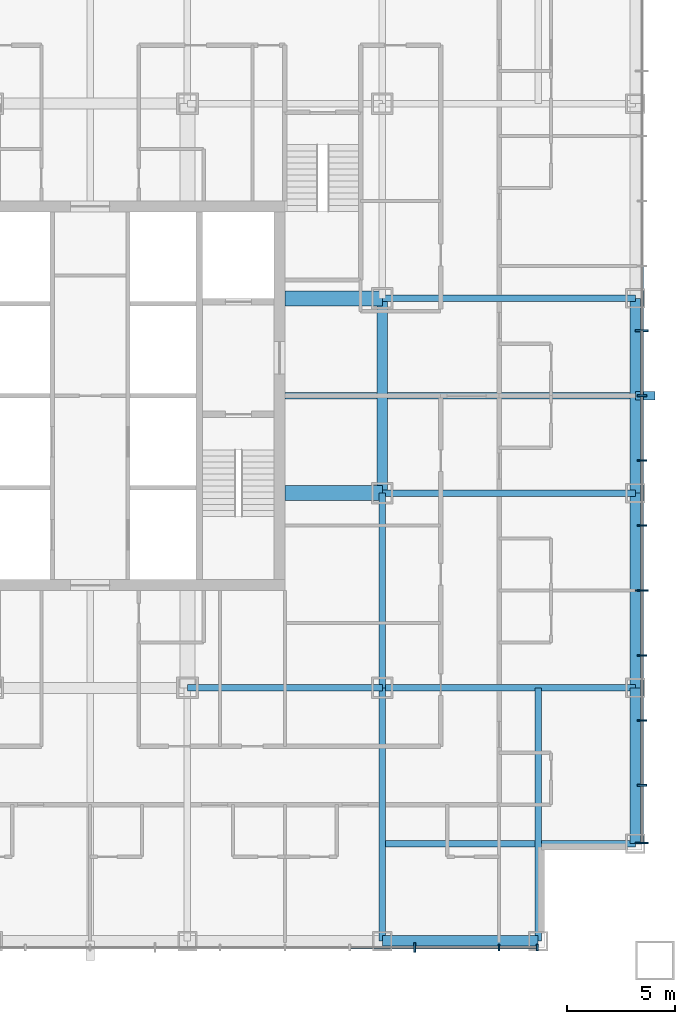
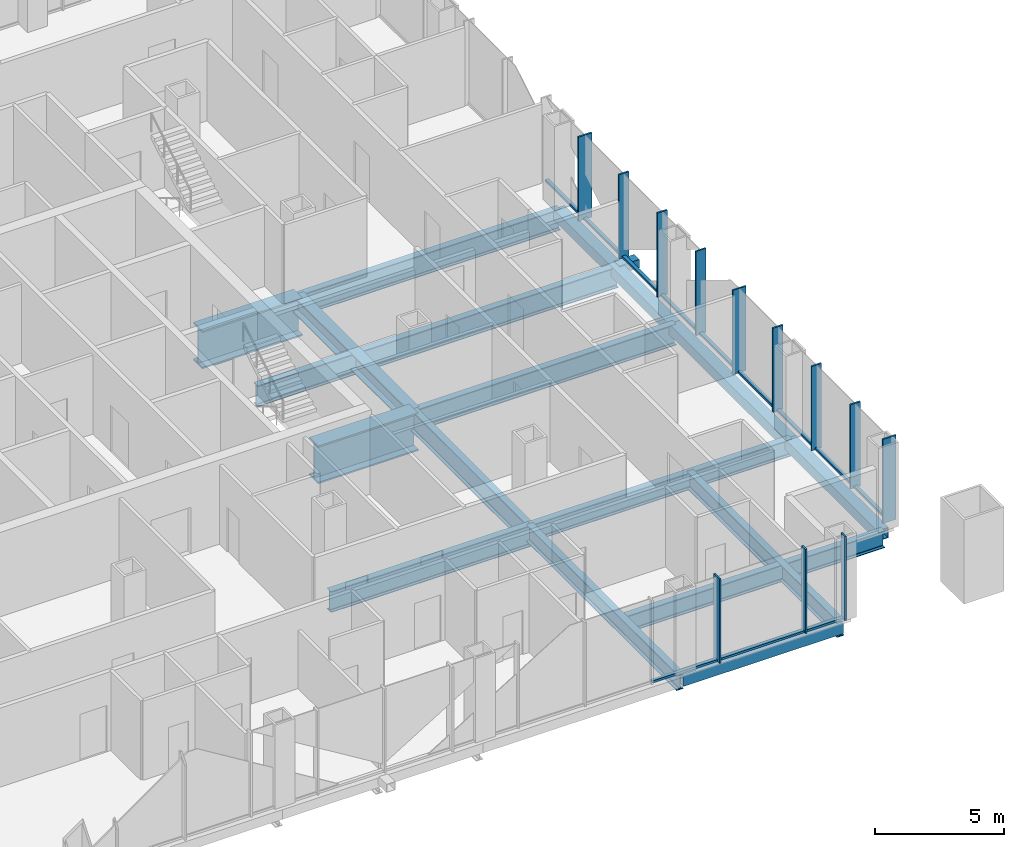
# One storey, part 3 of 13: 25 members, 16 beams, 2 elements without a shape of their own.
"""IFC4 building model written with IfcOpenShell, lengths in metres."""

from ifc_helpers import new_model, si_unit, direction, frame, origin, origin_2d, place, context, subcontext, project, spatial, rectangle, hollow_rectangle, i_section, extrude, material, layer, layer_set, material_profile, profile_set, type_object, element, aggregate, save


model = new_model("IFC4")

# Units and contexts
model_context = context("Model", 3, precision=1e-05, world=origin(), true_north=direction((0.0, 1.0)))
body_context = subcontext(model_context, "Body", "Model", "MODEL_VIEW")
ifc_project = project(units=[si_unit("LENGTHUNIT", "METRE"), si_unit("AREAUNIT", "SQUARE_METRE"), si_unit("VOLUMEUNIT", "CUBIC_METRE"), si_unit("PLANEANGLEUNIT", "RADIAN"), si_unit("MASSUNIT", "GRAM", prefix="KILO")], contexts=[model_context])

# Site, building, storey
site_placement = place(None, origin())
site = spatial("IfcSite", under=ifc_project, at=site_placement, CompositionType="ELEMENT")
building_placement = place(site_placement, origin())
building = spatial("IfcBuilding", under=site, at=building_placement, Name="Malebo Sky Hospital", CompositionType="ELEMENT")
storey_placement = place(building_placement, frame((0.0, 0.0, 79.0)))
storey = spatial("IfcBuildingStorey", under=building, at=storey_placement, Name="L18", CompositionType="ELEMENT", Elevation=79.0)

# Curtain wall, members
ifc_material_1 = material(Name="Anodised aluminium, natural silver", Category="aluminium")
ifc_layer_1 = layer(ifc_material_1, 0.25)
ifc_layer_set_1 = layer_set([ifc_layer_1], Name="WARD CURTAIN WALL NORTH AND SOUTH")
curtain_wall_type_1 = type_object("IfcCurtainWallType", Name="WARD CURTAIN WALL NORTH AND SOUTH", PredefinedType="NOTDEFINED", material=ifc_layer_set_1)
curtain_wall_1_placement = place(storey_placement, origin())
curtain_wall_1 = element("IfcCurtainWall", 1, at=curtain_wall_1_placement, inside=storey, type_object=curtain_wall_type_1, Name="NS curtain wall S", PredefinedType="NOTDEFINED")
ifc_material_profile_1 = material_profile(ifc_material_1, rectangle(XDim=0.14990234375, YDim=0.10009765625, at=origin_2d()), Name="ALUMINIUM TRANSOM 150x100")
ifc_profile_set_1 = profile_set([ifc_material_profile_1], Name="Anodised aluminium, natural silver")
member_type_1 = type_object("IfcMemberType", Name="ALUMINIUM TRANSOM 150x100", PredefinedType="USERDEFINED", material=ifc_profile_set_1)
member_1_placement = place(storey_placement, frame((80.625, 36.5, 0.050048828125), z_axis=(-1.0, 0.0, 0.0), x_axis=(0.0, -1.0, 0.0)))
member_1 = element("IfcMember", 2, at=member_1_placement, type_object=member_type_1, Name="Transom 1", ObjectType="TRANSOM", PredefinedType="USERDEFINED", context=body_context, shape_type="SweptSolid", body=[
    extrude(rectangle(XDim=0.14990234375, YDim=0.10009765625, at=origin_2d()), origin(), (0.0, 0.0, 1.0), 1.6875),
])
member_2_placement = place(storey_placement, frame((78.862548828125, 36.5, 0.050048828125), z_axis=(-1.0, 0.0, 0.0), x_axis=(0.0, -1.0, 0.0)))
member_2 = element("IfcMember", 3, at=member_2_placement, type_object=member_type_1, Name="Transom 2", ObjectType="TRANSOM", PredefinedType="USERDEFINED", context=body_context, shape_type="SweptSolid", body=[
    extrude(rectangle(XDim=0.14990234375, YDim=0.10009765625, at=origin_2d()), origin(), (0.0, 0.0, 1.0), 3.824951171875),
])
member_3_placement = place(storey_placement, frame((74.96240234375, 36.5, 0.050048828125), z_axis=(-1.0, 0.0, 0.0), x_axis=(0.0, -1.0, 0.0)))
member_3 = element("IfcMember", 4, at=member_3_placement, type_object=member_type_1, Name="Transom 3", ObjectType="TRANSOM", PredefinedType="USERDEFINED", context=body_context, shape_type="SweptSolid", body=[
    extrude(rectangle(XDim=0.14990234375, YDim=0.10009765625, at=origin_2d()), origin(), (0.0, 0.0, 1.0), 2.9248046875),
])

ifc_layer_2 = layer(ifc_material_1, 0.25)
ifc_layer_set_2 = layer_set([ifc_layer_2], Name="WARD CURTAIN WALL EAST AND WEST")
curtain_wall_type_2 = type_object("IfcCurtainWallType", Name="WARD CURTAIN WALL EAST AND WEST", PredefinedType="NOTDEFINED", material=ifc_layer_set_2)
curtain_wall_2_placement = place(storey_placement, origin())
curtain_wall_2 = element("IfcCurtainWall", 5, at=curtain_wall_2_placement, inside=storey, type_object=curtain_wall_type_2, Name="EW curtain wall E", PredefinedType="NOTDEFINED")
member_4_placement = place(storey_placement, frame((85.5, 67.96240234375, 0.050048828125), z_axis=(0.0, -1.0, 0.0), x_axis=(1.0, 0.0, 0.0)))
member_4 = element("IfcMember", 6, at=member_4_placement, type_object=member_type_1, Name="Transom 6", ObjectType="TRANSOM", PredefinedType="USERDEFINED", context=body_context, shape_type="SweptSolid", body=[
    extrude(rectangle(XDim=0.14990234375, YDim=0.10009765625, at=origin_2d()), origin(), (0.0, 0.0, 1.0), 2.9248046875),
])
member_5_placement = place(storey_placement, frame((85.5, 64.96240234375, 0.050048828125), z_axis=(0.0, -1.0, 0.0), x_axis=(1.0, 0.0, 0.0)))
member_5 = element("IfcMember", 7, at=member_5_placement, type_object=member_type_1, Name="Transom 7", ObjectType="TRANSOM", PredefinedType="USERDEFINED", context=body_context, shape_type="SweptSolid", body=[
    extrude(rectangle(XDim=0.14990234375, YDim=0.10009765625, at=origin_2d()), origin(), (0.0, 0.0, 1.0), 2.9248046875),
])
member_6_placement = place(storey_placement, frame((85.5, 61.96240234375, 0.050048828125), z_axis=(0.0, -1.0, 0.0), x_axis=(1.0, 0.0, 0.0)))
member_6 = element("IfcMember", 8, at=member_6_placement, type_object=member_type_1, Name="Transom 8", ObjectType="TRANSOM", PredefinedType="USERDEFINED", context=body_context, shape_type="SweptSolid", body=[
    extrude(rectangle(XDim=0.14990234375, YDim=0.10009765625, at=origin_2d()), origin(), (0.0, 0.0, 1.0), 2.9248046875),
])
member_7_placement = place(storey_placement, frame((85.5, 58.96240234375, 0.050048828125), z_axis=(0.0, -1.0, 0.0), x_axis=(1.0, 0.0, 0.0)))
member_7 = element("IfcMember", 9, at=member_7_placement, type_object=member_type_1, Name="Transom 9", ObjectType="TRANSOM", PredefinedType="USERDEFINED", context=body_context, shape_type="SweptSolid", body=[
    extrude(rectangle(XDim=0.14990234375, YDim=0.10009765625, at=origin_2d()), origin(), (0.0, 0.0, 1.0), 2.9248046875),
])
member_8_placement = place(storey_placement, frame((85.5, 55.96240234375, 0.050048828125), z_axis=(0.0, -1.0, 0.0), x_axis=(1.0, 0.0, 0.0)))
member_8 = element("IfcMember", 10, at=member_8_placement, type_object=member_type_1, Name="Transom 10", ObjectType="TRANSOM", PredefinedType="USERDEFINED", context=body_context, shape_type="SweptSolid", body=[
    extrude(rectangle(XDim=0.14990234375, YDim=0.10009765625, at=origin_2d()), origin(), (0.0, 0.0, 1.0), 2.9248046875),
])
member_9_placement = place(storey_placement, frame((85.5, 52.96240234375, 0.050048828125), z_axis=(0.0, -1.0, 0.0), x_axis=(1.0, 0.0, 0.0)))
member_9 = element("IfcMember", 11, at=member_9_placement, type_object=member_type_1, Name="Transom 11", ObjectType="TRANSOM", PredefinedType="USERDEFINED", context=body_context, shape_type="SweptSolid", body=[
    extrude(rectangle(XDim=0.14990234375, YDim=0.10009765625, at=origin_2d()), origin(), (0.0, 0.0, 1.0), 2.9248046875),
])
member_10_placement = place(storey_placement, frame((85.5, 49.96240234375, 0.050048828125), z_axis=(0.0, -1.0, 0.0), x_axis=(1.0, 0.0, 0.0)))
member_10 = element("IfcMember", 12, at=member_10_placement, type_object=member_type_1, Name="Transom 12", ObjectType="TRANSOM", PredefinedType="USERDEFINED", context=body_context, shape_type="SweptSolid", body=[
    extrude(rectangle(XDim=0.14990234375, YDim=0.10009765625, at=origin_2d()), origin(), (0.0, 0.0, 1.0), 2.9248046875),
])
member_11_placement = place(storey_placement, frame((85.5, 46.96240234375, 0.050048828125), z_axis=(0.0, -1.0, 0.0), x_axis=(1.0, 0.0, 0.0)))
member_11 = element("IfcMember", 13, at=member_11_placement, type_object=member_type_1, Name="Transom 13", ObjectType="TRANSOM", PredefinedType="USERDEFINED", context=body_context, shape_type="SweptSolid", body=[
    extrude(rectangle(XDim=0.14990234375, YDim=0.10009765625, at=origin_2d()), origin(), (0.0, 0.0, 1.0), 2.9248046875),
])
member_12_placement = place(storey_placement, frame((85.5, 43.96240234375, 0.050048828125), z_axis=(0.0, -1.0, 0.0), x_axis=(1.0, 0.0, 0.0)))
member_12 = element("IfcMember", 14, at=member_12_placement, type_object=member_type_1, Name="Transom 14", ObjectType="TRANSOM", PredefinedType="USERDEFINED", context=body_context, shape_type="SweptSolid", body=[
    extrude(rectangle(XDim=0.14990234375, YDim=0.10009765625, at=origin_2d()), origin(), (0.0, 0.0, 1.0), 2.58740234375),
])

# Member
ifc_material_2 = material(Name="Steel S355", Category="steel")
ifc_material_profile_2 = material_profile(ifc_material_2, hollow_rectangle(XDim=0.39990234375, YDim=0.39990234375, WallThickness=0.02001953125, at=origin_2d()), Name="SHS 400x20")
ifc_profile_set_2 = profile_set([ifc_material_profile_2], Name="Steel S355")
member_type_2 = type_object("IfcMemberType", Name="BRACE STRUT SHS 400x20", PredefinedType="STRUT", material=ifc_profile_set_2)
member_13_placement = place(storey_placement, frame((86.10009765625, 62.0, -0.39990234375), z_axis=(-1.0, 0.0, 0.0), x_axis=(0.0, -1.0, 0.0)))
element("IfcMember", 15, at=member_13_placement, inside=storey, type_object=member_type_2, Name="Brace strut AE1 L18", PredefinedType="STRUT", context=body_context, shape_type="SweptSolid", body=[
    extrude(hollow_rectangle(XDim=0.39990234375, YDim=0.39990234375, WallThickness=0.02001953125, at=origin_2d()), origin(), (0.0, 0.0, 1.0), 0.900146484375),
])

ifc_material_profile_3 = material_profile(ifc_material_1, rectangle(XDim=0.074951171875, YDim=0.300048828125, at=origin_2d()), Name="CW1 ALUMINIUM FIN MULLION 75x300")
ifc_profile_set_3 = profile_set([ifc_material_profile_3], Name="Anodised aluminium, natural silver")
member_type_3 = type_object("IfcMemberType", Name="CW1 ALUMINIUM FIN MULLION 75x300", PredefinedType="MULLION", material=ifc_profile_set_3)
member_14_placement = place(storey_placement, frame((80.66259765625, 36.5, 0.0), z_axis=(0.0, 0.0, 1.0), x_axis=(-1.0, 0.0, 0.0)))
member_14 = element("IfcMember", 16, at=member_14_placement, type_object=member_type_3, Name="Fin mullion 1", PredefinedType="MULLION", context=body_context, shape_type="SweptSolid", body=[
    extrude(rectangle(XDim=0.074951171875, YDim=0.300048828125, at=origin_2d()), origin(), (0.0, 0.0, 1.0), 4.0),
])

member_15_placement = place(storey_placement, frame((78.89990234375, 36.5, 0.0), z_axis=(0.0, 0.0, 1.0), x_axis=(-1.0, 0.0, 0.0)))
member_15 = element("IfcMember", 17, at=member_15_placement, type_object=member_type_3, Name="Fin mullion 2", PredefinedType="MULLION", context=body_context, shape_type="SweptSolid", body=[
    extrude(rectangle(XDim=0.074951171875, YDim=0.300048828125, at=origin_2d()), origin(), (0.0, 0.0, 1.0), 4.0),
])

ifc_material_profile_4 = material_profile(ifc_material_1, rectangle(XDim=0.074951171875, YDim=0.449951171875, at=origin_2d()), Name="CW1 ALUMINIUM FIN MULLION 75x450")
ifc_profile_set_4 = profile_set([ifc_material_profile_4], Name="Anodised aluminium, natural silver")
member_type_4 = type_object("IfcMemberType", Name="CW1 ALUMINIUM FIN MULLION 75x450", PredefinedType="MULLION", material=ifc_profile_set_4)
member_16_placement = place(storey_placement, frame((75.0, 36.5, 0.0), z_axis=(0.0, 0.0, 1.0), x_axis=(-1.0, 0.0, 0.0)))
member_16 = element("IfcMember", 18, at=member_16_placement, type_object=member_type_4, Name="Fin mullion 3", PredefinedType="MULLION", context=body_context, shape_type="SweptSolid", body=[
    extrude(rectangle(XDim=0.074951171875, YDim=0.449951171875, at=origin_2d()), origin(), (0.0, 0.0, 1.0), 4.0),
])

aggregate(curtain_wall_1, [member_14, member_15, member_16, member_1, member_2, member_3])

ifc_material_profile_5 = material_profile(ifc_material_1, rectangle(XDim=0.074951171875, YDim=0.449951171875, at=origin_2d()), Name="CW2 ALUMINIUM FIN MULLION 75x450")
ifc_profile_set_5 = profile_set([ifc_material_profile_5], Name="Anodised aluminium, natural silver")
member_type_5 = type_object("IfcMemberType", Name="CW2 ALUMINIUM FIN MULLION 75x450", PredefinedType="MULLION", material=ifc_profile_set_5)
member_17_placement = place(storey_placement, frame((85.5, 62.0, 0.0), z_axis=(0.0, 0.0, 1.0), x_axis=(0.0, -1.0, 0.0)))
member_17 = element("IfcMember", 19, at=member_17_placement, type_object=member_type_5, Name="Fin mullion 8", PredefinedType="MULLION", context=body_context, shape_type="SweptSolid", body=[
    extrude(rectangle(XDim=0.074951171875, YDim=0.449951171875, at=origin_2d()), origin(), (0.0, 0.0, 1.0), 4.0),
])

member_18_placement = place(storey_placement, frame((85.5, 59.0, 0.0), z_axis=(0.0, 0.0, 1.0), x_axis=(0.0, -1.0, 0.0)))
member_18 = element("IfcMember", 20, at=member_18_placement, type_object=member_type_5, Name="Fin mullion 9", PredefinedType="MULLION", context=body_context, shape_type="SweptSolid", body=[
    extrude(rectangle(XDim=0.074951171875, YDim=0.449951171875, at=origin_2d()), origin(), (0.0, 0.0, 1.0), 4.0),
])

member_19_placement = place(storey_placement, frame((85.5, 56.0, 0.0), z_axis=(0.0, 0.0, 1.0), x_axis=(0.0, -1.0, 0.0)))
member_19 = element("IfcMember", 21, at=member_19_placement, type_object=member_type_5, Name="Fin mullion 10", PredefinedType="MULLION", context=body_context, shape_type="SweptSolid", body=[
    extrude(rectangle(XDim=0.074951171875, YDim=0.449951171875, at=origin_2d()), origin(), (0.0, 0.0, 1.0), 4.0),
])

member_20_placement = place(storey_placement, frame((85.5, 50.0, 0.0), z_axis=(0.0, 0.0, 1.0), x_axis=(0.0, -1.0, 0.0)))
member_20 = element("IfcMember", 22, at=member_20_placement, type_object=member_type_5, Name="Fin mullion 12", PredefinedType="MULLION", context=body_context, shape_type="SweptSolid", body=[
    extrude(rectangle(XDim=0.074951171875, YDim=0.449951171875, at=origin_2d()), origin(), (0.0, 0.0, 1.0), 4.0),
])

member_21_placement = place(storey_placement, frame((85.5, 47.0, 0.0), z_axis=(0.0, 0.0, 1.0), x_axis=(0.0, -1.0, 0.0)))
member_21 = element("IfcMember", 23, at=member_21_placement, type_object=member_type_5, Name="Fin mullion 13", PredefinedType="MULLION", context=body_context, shape_type="SweptSolid", body=[
    extrude(rectangle(XDim=0.074951171875, YDim=0.449951171875, at=origin_2d()), origin(), (0.0, 0.0, 1.0), 4.0),
])

member_22_placement = place(storey_placement, frame((85.5, 44.0, 0.0), z_axis=(0.0, 0.0, 1.0), x_axis=(0.0, -1.0, 0.0)))
member_22 = element("IfcMember", 24, at=member_22_placement, type_object=member_type_5, Name="Fin mullion 14", PredefinedType="MULLION", context=body_context, shape_type="SweptSolid", body=[
    extrude(rectangle(XDim=0.074951171875, YDim=0.449951171875, at=origin_2d()), origin(), (0.0, 0.0, 1.0), 4.0),
])

ifc_material_profile_6 = material_profile(ifc_material_1, rectangle(XDim=0.074951171875, YDim=0.60009765625, at=origin_2d()), Name="CW2 ALUMINIUM FIN MULLION 75x600")
ifc_profile_set_6 = profile_set([ifc_material_profile_6], Name="Anodised aluminium, natural silver")
member_type_6 = type_object("IfcMemberType", Name="CW2 ALUMINIUM FIN MULLION 75x600", PredefinedType="MULLION", material=ifc_profile_set_6)
member_23_placement = place(storey_placement, frame((85.5, 65.0, 0.0), z_axis=(0.0, 0.0, 1.0), x_axis=(0.0, -1.0, 0.0)))
member_23 = element("IfcMember", 25, at=member_23_placement, type_object=member_type_6, Name="Fin mullion 7", PredefinedType="MULLION", context=body_context, shape_type="SweptSolid", body=[
    extrude(rectangle(XDim=0.074951171875, YDim=0.60009765625, at=origin_2d()), origin(), (0.0, 0.0, 1.0), 4.0),
])

member_24_placement = place(storey_placement, frame((85.5, 53.0, 0.0), z_axis=(0.0, 0.0, 1.0), x_axis=(0.0, -1.0, 0.0)))
member_24 = element("IfcMember", 26, at=member_24_placement, type_object=member_type_6, Name="Fin mullion 11", PredefinedType="MULLION", context=body_context, shape_type="SweptSolid", body=[
    extrude(rectangle(XDim=0.074951171875, YDim=0.60009765625, at=origin_2d()), origin(), (0.0, 0.0, 1.0), 4.0),
])

member_25_placement = place(storey_placement, frame((85.5, 41.33740234375, 0.0), z_axis=(0.0, 0.0, 1.0), x_axis=(0.0, -1.0, 0.0)))
member_25 = element("IfcMember", 27, at=member_25_placement, type_object=member_type_6, Name="Fin mullion 15", PredefinedType="MULLION", context=body_context, shape_type="SweptSolid", body=[
    extrude(rectangle(XDim=0.074951171875, YDim=0.60009765625, at=origin_2d()), origin(), (0.0, 0.0, 1.0), 4.0),
])

aggregate(curtain_wall_2, [member_23, member_17, member_18, member_19, member_24, member_20, member_21, member_22, member_25, member_4, member_5, member_6, member_7, member_8, member_9, member_10, member_11, member_12])

# Beams
ifc_material_3 = material(Name="Steel S460", Category="steel")
ifc_material_profile_7 = material_profile(ifc_material_3, hollow_rectangle(XDim=0.5, YDim=0.5, WallThickness=0.030029296875, at=origin_2d()), Name="BOX 500x500x30")
ifc_profile_set_7 = profile_set([ifc_material_profile_7], Name="Steel S460")
beam_type_1 = type_object("IfcBeamType", Name="EDGE BEAM BOX 500x500x30", PredefinedType="BEAM", material=ifc_profile_set_7)
beam_1_placement = place(storey_placement, frame((85.199951171875, 41.300048828125, -0.5), z_axis=(0.0, 1.0, 0.0), x_axis=(-1.0, 0.0, 0.0)))
element("IfcBeam", 28, at=beam_1_placement, inside=storey, type_object=beam_type_1, Name="Beam 029 L18", PredefinedType="BEAM", context=body_context, shape_type="SweptSolid", body=[
    extrude(hollow_rectangle(XDim=0.5, YDim=0.5, WallThickness=0.030029296875, at=origin_2d()), origin(), (0.0, 0.0, 1.0), 7.199951171875),
])
for number, where, z_axis, x_axis, name in (
    (29, (85.199951171875, 48.5, -0.5), (0.0, 1.0, 0.0), (-1.0, 0.0, 0.0), "Beam 030 L18"),
    (30, (85.199951171875, 57.5, -0.5), (0.0, 1.0, 0.0), (-1.0, 0.0, 0.0), "Beam 031 L18"),
):
    element("IfcBeam", number, at=place(storey_placement, frame(where, z_axis=z_axis, x_axis=x_axis)), inside=storey, type_object=beam_type_1, Name=name, PredefinedType="BEAM", context=body_context, shape_type="SweptSolid", body=[
        extrude(hollow_rectangle(XDim=0.5, YDim=0.5, WallThickness=0.030029296875, at=origin_2d()), origin(), (0.0, 0.0, 1.0), 9.0),
    ])
beam_2_placement = place(storey_placement, frame((73.5, 36.800048828125, -0.5), z_axis=(1.0, 0.0, 0.0), x_axis=(0.0, 1.0, 0.0)))
element("IfcBeam", 31, at=beam_2_placement, inside=storey, type_object=beam_type_1, Name="Beam 038 L18", PredefinedType="BEAM", context=body_context, shape_type="SweptSolid", body=[
    extrude(hollow_rectangle(XDim=0.5, YDim=0.5, WallThickness=0.030029296875, at=origin_2d()), origin(), (0.0, 0.0, 1.0), 7.199951171875),
])
ifc_material_profile_8 = material_profile(ifc_material_2, i_section(OverallWidth=0.300048828125, OverallDepth=1.0, WebThickness=0.01904296875, FlangeThickness=0.035888671875, FilletRadius=0.030029296875, at=origin_2d()), Name="HEB 1000")
ifc_profile_set_8 = profile_set([ifc_material_profile_8], Name="Steel S355")
beam_type_2 = type_object("IfcBeamType", Name="FLOOR BEAM HEB 1000", PredefinedType="BEAM", material=ifc_profile_set_8)
for number, where, z_axis, x_axis, name in (
    (32, (73.5, 48.5, -0.75), (0.0, 1.0, 0.0), (-1.0, 0.0, 0.0), "Beam 023 L18"),
    (33, (64.5, 48.5, -0.75), (1.0, 0.0, 0.0), (0.0, 1.0, 0.0), "Beam 044 L18"),
):
    element("IfcBeam", number, at=place(storey_placement, frame(where, z_axis=z_axis, x_axis=x_axis)), inside=storey, type_object=beam_type_2, Name=name, PredefinedType="BEAM", context=body_context, shape_type="SweptSolid", body=[
        extrude(i_section(OverallWidth=0.300048828125, OverallDepth=1.0, WebThickness=0.01904296875, FlangeThickness=0.035888671875, FilletRadius=0.030029296875, at=origin_2d()), origin(), (0.0, 0.0, 1.0), 9.0),
    ])
beam_3_placement = place(storey_placement, frame((73.5, 57.5, -0.75), z_axis=(1.0, 0.0, 0.0), x_axis=(0.0, 1.0, 0.0)))
element("IfcBeam", 34, at=beam_3_placement, inside=storey, type_object=beam_type_2, Name="Beam 049 L18", PredefinedType="BEAM", context=body_context, shape_type="SweptSolid", body=[
    extrude(i_section(OverallWidth=0.300048828125, OverallDepth=1.0, WebThickness=0.01904296875, FlangeThickness=0.035888671875, FilletRadius=0.030029296875, at=origin_2d()), origin(), (0.0, 0.0, 1.0), 11.699951171875),
])
beam_4_placement = place(storey_placement, frame((69.0, 62.0, -0.75), z_axis=(1.0, 0.0, 0.0), x_axis=(0.0, 1.0, 0.0)))
element("IfcBeam", 35, at=beam_4_placement, inside=storey, type_object=beam_type_2, Name="Beam 051 L18", PredefinedType="BEAM", context=body_context, shape_type="SweptSolid", body=[
    extrude(i_section(OverallWidth=0.300048828125, OverallDepth=1.0, WebThickness=0.01904296875, FlangeThickness=0.035888671875, FilletRadius=0.030029296875, at=origin_2d()), origin(), (0.0, 0.0, 1.0), 16.199951171875),
])
beam_5_placement = place(storey_placement, frame((73.5, 66.5, -0.75), z_axis=(1.0, 0.0, 0.0), x_axis=(0.0, 1.0, 0.0)))
element("IfcBeam", 36, at=beam_5_placement, inside=storey, type_object=beam_type_2, Name="Beam 055 L18", PredefinedType="BEAM", context=body_context, shape_type="SweptSolid", body=[
    extrude(i_section(OverallWidth=0.300048828125, OverallDepth=1.0, WebThickness=0.01904296875, FlangeThickness=0.035888671875, FilletRadius=0.030029296875, at=origin_2d()), origin(), (0.0, 0.0, 1.0), 11.699951171875),
])
ifc_material_profile_9 = material_profile(ifc_material_2, i_section(OverallWidth=0.300048828125, OverallDepth=0.800048828125, WebThickness=0.017578125, FlangeThickness=0.032958984375, FilletRadius=0.030029296875, at=origin_2d()), Name="HEB 800")
ifc_profile_set_9 = profile_set([ifc_material_profile_9], Name="Steel S355")
beam_type_3 = type_object("IfcBeamType", Name="FLOOR BEAM HEB 800", PredefinedType="BEAM", material=ifc_profile_set_9)
for number, where, z_axis, x_axis, name in (
    (37, (80.699951171875, 36.800048828125, -0.64990234375), (0.0, 1.0, 0.0), (-1.0, 0.0, 0.0), "Beam 027 L18"),
    (38, (73.5, 41.300048828125, -0.64990234375), (1.0, 0.0, 0.0), (0.0, 1.0, 0.0), "Beam 040 L18"),
):
    element("IfcBeam", number, at=place(storey_placement, frame(where, z_axis=z_axis, x_axis=x_axis)), inside=storey, type_object=beam_type_3, Name=name, PredefinedType="BEAM", context=body_context, shape_type="SweptSolid", body=[
        extrude(i_section(OverallWidth=0.300048828125, OverallDepth=0.800048828125, WebThickness=0.017578125, FlangeThickness=0.032958984375, FilletRadius=0.030029296875, at=origin_2d()), origin(), (0.0, 0.0, 1.0), 11.699951171875),
    ])
ifc_material_profile_10 = material_profile(ifc_material_2, i_section(OverallWidth=0.699951171875, OverallDepth=1.800048828125, WebThickness=0.034912109375, FlangeThickness=0.070068359375, at=origin_2d()), Name="PG 1800x700x35x70")
ifc_profile_set_10 = profile_set([ifc_material_profile_10], Name="Steel S355")
beam_type_4 = type_object("IfcBeamType", Name="FLOOR BEAM PG 1800x700x35x70", PredefinedType="BEAM", material=ifc_profile_set_10)
for number, where, z_axis, x_axis, name in (
    (39, (69.0, 57.5, -1.14990234375), (1.0, 0.0, 0.0), (0.0, 1.0, 0.0), "Beam 048 L18"),
    (40, (69.0, 66.5, -1.14990234375), (1.0, 0.0, 0.0), (0.0, 1.0, 0.0), "Beam 054 L18"),
):
    element("IfcBeam", number, at=place(storey_placement, frame(where, z_axis=z_axis, x_axis=x_axis)), inside=storey, type_object=beam_type_4, Name=name, PredefinedType="BEAM", context=body_context, shape_type="SweptSolid", body=[
        extrude(i_section(OverallWidth=0.699951171875, OverallDepth=1.800048828125, WebThickness=0.034912109375, FlangeThickness=0.070068359375, at=origin_2d()), origin(), (0.0, 0.0, 1.0), 4.5),
    ])
ifc_material_profile_11 = material_profile(ifc_material_2, i_section(OverallWidth=0.300048828125, OverallDepth=0.800048828125, WebThickness=0.017578125, FlangeThickness=0.032958984375, FilletRadius=0.030029296875, at=origin_2d()), Name="HEB 800")
ifc_profile_set_11 = profile_set([ifc_material_profile_11], Name="Steel S355")
beam_type_5 = type_object("IfcBeamType", Name="FLOOR GIRDER HEB 800", PredefinedType="BEAM", material=ifc_profile_set_11)
for number, where, z_axis, x_axis, name in (
    (41, (73.5, 36.800048828125, -0.64990234375), (0.0, 1.0, 0.0), (-1.0, 0.0, 0.0), "Beam 022 L18"),
    (42, (73.5, 48.5, -0.64990234375), (1.0, 0.0, 0.0), (0.0, 1.0, 0.0), "Beam 045 L18"),
):
    element("IfcBeam", number, at=place(storey_placement, frame(where, z_axis=z_axis, x_axis=x_axis)), inside=storey, type_object=beam_type_5, Name=name, PredefinedType="BEAM", context=body_context, shape_type="SweptSolid", body=[
        extrude(i_section(OverallWidth=0.300048828125, OverallDepth=0.800048828125, WebThickness=0.017578125, FlangeThickness=0.032958984375, FilletRadius=0.030029296875, at=origin_2d()), origin(), (0.0, 0.0, 1.0), 11.699951171875),
    ])
ifc_material_profile_12 = material_profile(ifc_material_2, i_section(OverallWidth=0.5, OverallDepth=0.800048828125, WebThickness=0.030029296875, FlangeThickness=0.050048828125, at=origin_2d()), Name="PG 800x500x30x50")
ifc_profile_set_12 = profile_set([ifc_material_profile_12], Name="Steel S355")
beam_type_6 = type_object("IfcBeamType", Name="RING GIRDER PG 800x500x30x50", PredefinedType="BEAM", material=ifc_profile_set_12)
beam_6_placement = place(storey_placement, frame((73.5, 57.5, -0.64990234375), z_axis=(0.0, 1.0, 0.0), x_axis=(-1.0, 0.0, 0.0)))
element("IfcBeam", 43, at=beam_6_placement, inside=storey, type_object=beam_type_6, Name="Beam 024 L18", PredefinedType="BEAM", context=body_context, shape_type="SweptSolid", body=[
    extrude(i_section(OverallWidth=0.5, OverallDepth=0.800048828125, WebThickness=0.030029296875, FlangeThickness=0.050048828125, at=origin_2d()), origin(), (0.0, 0.0, 1.0), 9.0),
])

save(model, "model.ifc")
